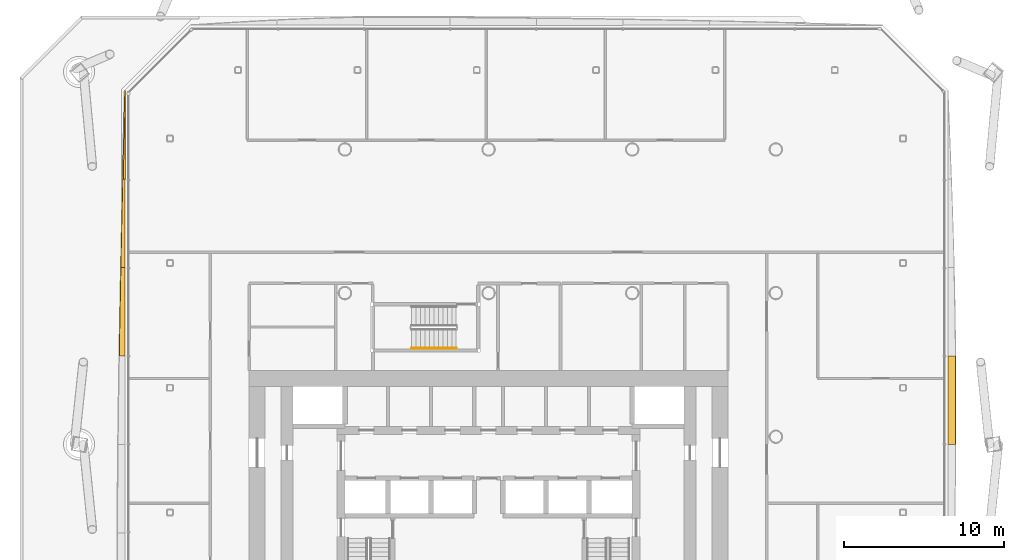
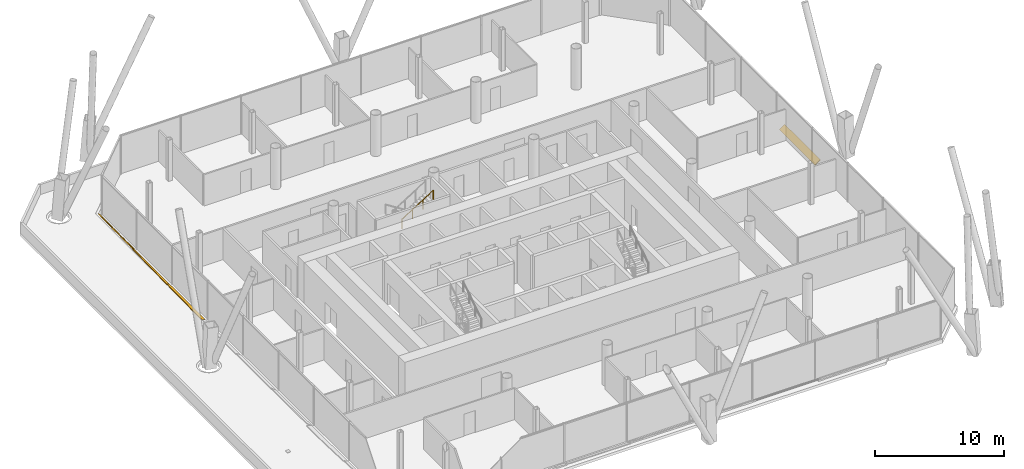
# One storey, part 20 of 23: 4 shading devices, 1 railing.
"""IFC4 building model written with IfcOpenShell, lengths in metres."""

from ifc_helpers import new_model, si_unit, direction, frame, origin, origin_2d, place, context, subcontext, project, spatial, polyline, circle, outline, extrude, material, layer, layer_set, type_object, element, save


model = new_model("IFC4")

# Units and contexts
model_context = context("Model", 3, precision=1e-05, world=origin(), true_north=direction((0.0, 1.0)))
body_context = subcontext(model_context, "Body", "Model", "MODEL_VIEW")
ifc_project = project(units=[si_unit("LENGTHUNIT", "METRE"), si_unit("AREAUNIT", "SQUARE_METRE"), si_unit("VOLUMEUNIT", "CUBIC_METRE"), si_unit("PLANEANGLEUNIT", "RADIAN"), si_unit("MASSUNIT", "GRAM", prefix="KILO")], contexts=[model_context])

# Site, building, storey
site_placement = place(None, origin())
site = spatial("IfcSite", under=ifc_project, at=site_placement, CompositionType="ELEMENT")
building_placement = place(site_placement, origin())
building = spatial("IfcBuilding", under=site, at=building_placement, Name="Tskaro Facet Tower", CompositionType="ELEMENT")
storey_placement = place(building_placement, frame((0.0, 0.0, 62.10009765625)))
storey = spatial("IfcBuildingStorey", under=building, at=storey_placement, Name="L14", CompositionType="ELEMENT", Elevation=62.10009765625)

# Shading devices
ifc_material_1 = material(Name="Bronze anodised aluminium 6063-T6", Category="aluminium")
ifc_layer = layer(ifc_material_1, 0.06005859375, Name="Bronze anodised aluminium 6063-T6")
ifc_layer_set = layer_set([ifc_layer], Name="Bronze anodised aluminium 6063-T6")
shading_device_type = type_object("IfcShadingDeviceType", Name="Bronze sun blade (FN1)", PredefinedType="USERDEFINED", material=ifc_layer_set)
shading_device_1_placement = place(storey_placement, frame((28.774658203125, -0.478515625, 0.049072265625), z_axis=(-0.57363616073, -7.551606e-06, 0.819110221549), x_axis=(-4.331874e-06, 0.999999999971, 6.185598e-06)))
element("IfcShadingDevice", 1, at=shading_device_1_placement, inside=storey, type_object=shading_device_type, Name="Fin blade east 5", ObjectType="FIN", PredefinedType="USERDEFINED", context=body_context, shape_type="SweptSolid", body=[
    extrude(outline(polyline([(0.0, 0.0), (5.539062499842063, -2.3458842172003865e-21), (5.53906250011139, -0.5860028537497131), (4.8466796880741505, -0.5923031118220307), (4.154296874831652, -0.596703261951681), (3.4619140629516365, -0.5991433739480326), (2.9245605467369407, -0.599683378001717), (2.769531249866361, -0.599683378001717), (2.0771484375385514, -0.5988033479757868), (1.3847656238530341, -0.5969032400331197), (0.692382812435138, -0.5937231459016451), (-3.4046586400786577e-10, -0.5895229738534333), (0.0, 0.0)])), origin(), (0.0, 0.0, -1.0), 0.06005859375),
])
shading_device_2_placement = place(storey_placement, frame((-22.7705078125, 21.677978515625, 0.0458984375), z_axis=(0.642998843876, -2.1914875e-05, 0.765867146634), x_axis=(-1.4091239e-05, -0.99999999976, -1.6783883e-05)))
element("IfcShadingDevice", 2, at=shading_device_2_placement, inside=storey, type_object=shading_device_type, Name="Fin blade west 1", ObjectType="FIN", PredefinedType="USERDEFINED", context=body_context, shape_type="SweptSolid", body=[
    extrude(outline(polyline([(0.0, 0.0), (5.5390624986699, 0.0), (5.539062501337766, -0.16948701331662155), (4.846679683219819, -0.14866934503838736), (4.154296876737372, -0.12772469176473228), (3.4619140627170517, -0.10675004134684213), (2.7695312493541158, -0.08543142950540489), (2.0771484359911803, -0.06411281766396768), (1.384765622628244, -0.042794205822530434), (0.6923828133629358, -0.02131861184143723), (0.0, 0.0)])), origin(), (0.0, 0.0, -1.0), 0.06005859375),
])
shading_device_3_placement = place(storey_placement, frame((-22.78857421875, 16.138916015625, 0.056396484375), z_axis=(0.341803273131, 2.459114e-06, 0.93977152674), x_axis=(8.40533e-07, -0.999999999997, 2.311005e-06)))
element("IfcShadingDevice", 3, at=shading_device_3_placement, inside=storey, type_object=shading_device_type, Name="Fin blade west 2", ObjectType="FIN", PredefinedType="USERDEFINED", context=body_context, shape_type="SweptSolid", body=[
    extrude(outline(polyline([(0.0, 0.0), (5.5390624999832525, -5.864710543000966e-22), (5.539062499889968, -0.26652788264556077), (4.846679687650935, -0.251238725220368), (4.1542968748476925, -0.23586611973044572), (3.4619140624548663, -0.22003464142473111), (2.76953125006204, -0.20420316311901654), (2.07714843751542, -0.18782936393278016), (1.3847656249688003, -0.17145556474654372), (0.6923828126273887, -0.1548523291524112), (-2.782332584859433e-10, -0.1381656454935491), (0.0, 0.0)])), origin(), (0.0, 0.0, -1.0), 0.06005859375),
])
shading_device_4_placement = place(storey_placement, frame((-22.78369140625, 10.599853515625, 0.05419921875), z_axis=(0.422803197413, -7.659445e-06, 0.906221527111), x_axis=(-3.238438e-06, -0.999999999971, -6.941154e-06)))
element("IfcShadingDevice", 4, at=shading_device_4_placement, inside=storey, type_object=shading_device_type, Name="Fin blade west 3", ObjectType="FIN", PredefinedType="USERDEFINED", context=body_context, shape_type="SweptSolid", body=[
    extrude(outline(polyline([(0.0, 0.0), (5.539306640462512, 0.0), (5.539306640643331, -0.38981804395255293), (4.846923827494787, -0.37692734482024237), (4.154541015250226, -0.36371217676103673), (3.462158203909648, -0.3501725397749359), (2.7697753909878013, -0.3361904118087876), (2.077392578179304, -0.32166256942572047), (1.3847656239551798, -0.30691348155262954), (0.6923828129546497, -0.291736701315772), (-5.311326814358842e-10, -0.2764418990257622), (0.0, 0.0)])), origin(), (0.0, 0.0, -1.0), 0.06005859375),
])

# Railing
ifc_material_2 = material(Name="Stainless steel", Category="steel")
railing_type = type_object("IfcRailingType", Name="RL-HANDRAIL-900", PredefinedType="HANDRAIL", material=ifc_material_2)
railing_placement = place(storey_placement, frame((-4.824951171875, 5.550048828125, 2.127197265625)))
element("IfcRailing", 5, at=railing_placement, inside=storey, type_object=railing_type, Name="L14 ST-3 stair handrail 2", PredefinedType="HANDRAIL", context=body_context, shape_type="SweptSolid", body=[
    extrude(circle(Radius=0.02392578125, at=origin_2d()), frame((0.0, 0.0, 0.8759765625), z_axis=(0.844908973607, 0.0, 0.534910110503), x_axis=(0.0, 1.0, 0.0)), (0.0, 0.0, 1.0), 3.31396484375),
    extrude(circle(Radius=0.02099609375, at=origin_2d()), origin(), (0.0, 0.0, 1.0), 0.851806640625),
    extrude(circle(Radius=0.02099609375, at=origin_2d()), frame((0.933349609375, 0.0, 0.5908203125)), (0.0, 0.0, 1.0), 0.851806640625),
    extrude(circle(Radius=0.02099609375, at=origin_2d()), frame((1.86669921875, 0.0, 1.181884765625)), (0.0, 0.0, 1.0), 0.851806640625),
    extrude(circle(Radius=0.02099609375, at=origin_2d()), frame((2.800048828125, 0.0, 1.772705078125)), (0.0, 0.0, 1.0), 0.851806640625),
])

save(model, "model.ifc")
